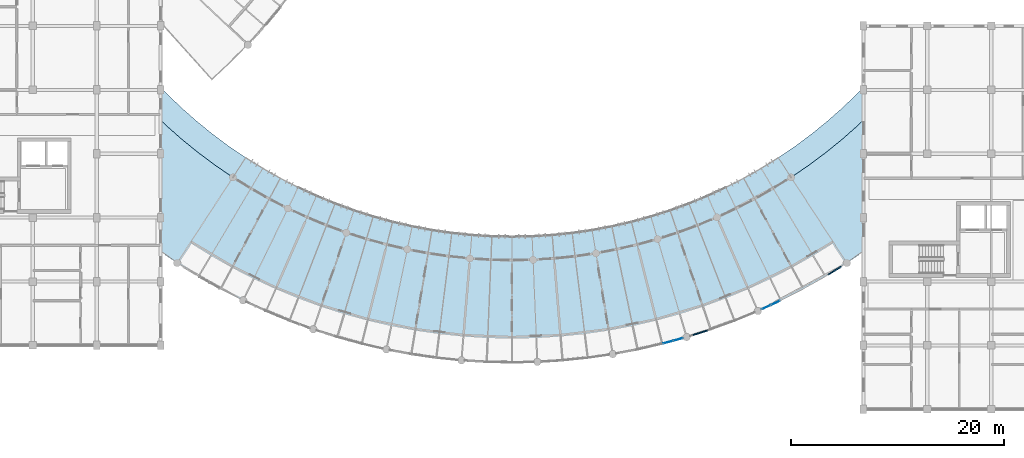
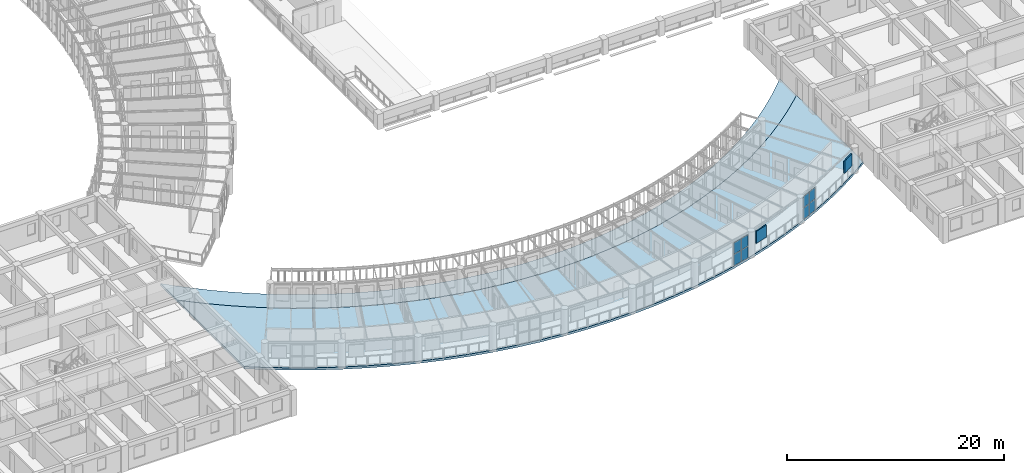
# One storey, part 77 of 137: 10 plates, 2 slabs, 2 elements without a shape of their own.
"""IFC4 building model written with IfcOpenShell, lengths in metres."""

from ifc_helpers import new_model, si_unit, direction, frame, origin, origin_2d, place, context, subcontext, project, spatial, polyline, rectangle, outline, extrude, material, layer, layer_set, type_object, element, aggregate, save


model = new_model("IFC4")

# Units and contexts
model_context = context("Model", 3, precision=1e-05, world=origin(), true_north=direction((0.0, 1.0)))
body_context = subcontext(model_context, "Body", "Model", "MODEL_VIEW")
ifc_project = project(units=[si_unit("LENGTHUNIT", "METRE"), si_unit("AREAUNIT", "SQUARE_METRE"), si_unit("VOLUMEUNIT", "CUBIC_METRE"), si_unit("PLANEANGLEUNIT", "RADIAN"), si_unit("MASSUNIT", "GRAM", prefix="KILO"), si_unit("POWERUNIT", "WATT"), si_unit("THERMODYNAMICTEMPERATUREUNIT", "KELVIN")], contexts=[model_context])

# Site, building, storey
site_placement = place(None, origin())
site = spatial("IfcSite", under=ifc_project, at=site_placement, CompositionType="ELEMENT")
building_placement = place(site_placement, origin())
building = spatial("IfcBuilding", under=site, at=building_placement, Name="Ruvembo Vaulted Housing Court", CompositionType="ELEMENT")
storey_placement = place(building_placement, frame((0.0, 0.0, 4.5)))
storey = spatial("IfcBuildingStorey", under=building, at=storey_placement, Name="L01", CompositionType="ELEMENT", Elevation=4.5)

# Curtain wall, plates
ifc_material_1 = material(Name="Anodised Aluminium and Solar-Control Glass", Category="aluminium")
ifc_layer_1 = layer(ifc_material_1, 0.139892578125, Name="Anodised Aluminium and Solar-Control Glass")
ifc_layer_set_1 = layer_set([ifc_layer_1], Name="Anodised Aluminium and Solar-Control Glass")
curtain_wall_type = type_object("IfcCurtainWallType", Name="CW-SCOOP-PAN", PredefinedType="NOTDEFINED", material=ifc_layer_set_1)
curtain_wall_1_placement = place(storey_placement, origin())
curtain_wall_1 = element("IfcCurtainWall", 1, at=curtain_wall_1_placement, inside=storey, type_object=curtain_wall_type, Name="L01 Curtain Wall CW-L01-0033", PredefinedType="NOTDEFINED")
ifc_material_2 = material(Name="Solar-Control Laminated Insulating Glass", Category="glass")
ifc_layer_2 = layer(ifc_material_2, 0.035888671875, Name="Solar-Control Laminated Insulating Glass")
ifc_layer_set_2 = layer_set([ifc_layer_2], Name="Solar-Control Laminated Insulating Glass")
plate_type_1 = type_object("IfcPlateType", Name="CW-PANEL-ACOUST", PredefinedType="CURTAIN_PANEL", material=ifc_layer_set_2)
plate_1_placement = place(storey_placement, frame((83.651123046875, 6.303466796875, 0.06005859375), z_axis=(0.0, 0.0, 1.0), x_axis=(0.964255188293, 0.264975341966, 0.0)))
plate_1 = element("IfcPlate", 2, at=plate_1_placement, type_object=plate_type_1, Name="CW10 panel 1.1", PredefinedType="CURTAIN_PANEL", context=body_context, shape_type="SweptSolid", body=[
    extrude(rectangle(XDim=0.89794921875, YDim=0.035888671875, at=origin_2d()), origin(), (0.0, 0.0, 1.0), 1.259033203125),
])
plate_2_placement = place(storey_placement, frame((83.651123046875, 6.303466796875, 1.37890625), z_axis=(0.0, 0.0, 1.0), x_axis=(0.964255188293, 0.264975341966, 0.0)))
plate_2 = element("IfcPlate", 3, at=plate_2_placement, type_object=plate_type_1, Name="CW10 panel 1.2", PredefinedType="CURTAIN_PANEL", context=body_context, shape_type="SweptSolid", body=[
    extrude(rectangle(XDim=0.89794921875, YDim=0.035888671875, at=origin_2d()), origin(), (0.0, 0.0, 1.0), 1.259033203125),
])
plate_3_placement = place(storey_placement, frame((84.57470703125, 6.557373046875, 0.06005859375), z_axis=(0.0, 0.0, 1.0), x_axis=(0.964255188293, 0.264975341966, 0.0)))
plate_3 = element("IfcPlate", 4, at=plate_3_placement, type_object=plate_type_1, Name="CW10 panel 2.1", PredefinedType="CURTAIN_PANEL", context=body_context, shape_type="SweptSolid", body=[
    extrude(rectangle(XDim=0.89794921875, YDim=0.035888671875, at=origin_2d()), origin(), (0.0, 0.0, 1.0), 1.259033203125),
])
plate_4_placement = place(storey_placement, frame((84.57470703125, 6.557373046875, 1.37890625), z_axis=(0.0, 0.0, 1.0), x_axis=(0.964255188293, 0.264975341966, 0.0)))
plate_4 = element("IfcPlate", 5, at=plate_4_placement, type_object=plate_type_1, Name="CW10 panel 2.2", PredefinedType="CURTAIN_PANEL", context=body_context, shape_type="SweptSolid", body=[
    extrude(rectangle(XDim=0.89794921875, YDim=0.035888671875, at=origin_2d()), origin(), (0.0, 0.0, 1.0), 1.259033203125),
])
aggregate(curtain_wall_1, [plate_1, plate_2, plate_3, plate_4])

curtain_wall_2_placement = place(storey_placement, origin())
curtain_wall_2 = element("IfcCurtainWall", 6, at=curtain_wall_2_placement, inside=storey, type_object=curtain_wall_type, Name="L01 Curtain Wall CW-L01-0034", PredefinedType="NOTDEFINED")
ifc_layer_3 = layer(ifc_material_2, 0.031982421875, Name="Solar-Control Laminated Insulating Glass")
ifc_layer_set_3 = layer_set([ifc_layer_3], Name="Solar-Control Laminated Insulating Glass")
plate_type_2 = type_object("IfcPlateType", Name="CW-PANEL-SOLAR", PredefinedType="CURTAIN_PANEL", material=ifc_layer_set_3)
plate_5_placement = place(storey_placement, frame((92.87451171875, 9.59326171875, 0.06494140625), z_axis=(0.0, 0.0, 1.0), x_axis=(0.907645116365, 0.419738421805, 0.0)))
plate_5 = element("IfcPlate", 7, at=plate_5_placement, type_object=plate_type_2, Name="CW10 panel 1.1", PredefinedType="CURTAIN_PANEL", context=body_context, shape_type="SweptSolid", body=[
    extrude(rectangle(XDim=0.890380859375, YDim=0.031982421875, at=origin_2d()), origin(), (0.0, 0.0, 1.0), 1.25146484375),
])
plate_6_placement = place(storey_placement, frame((92.87451171875, 9.59326171875, 1.381591796875), z_axis=(0.0, 0.0, 1.0), x_axis=(0.907645116365, 0.419738421805, 0.0)))
plate_6 = element("IfcPlate", 8, at=plate_6_placement, type_object=plate_type_2, Name="CW10 panel 1.2", PredefinedType="CURTAIN_PANEL", context=body_context, shape_type="SweptSolid", body=[
    extrude(rectangle(XDim=0.890380859375, YDim=0.031982421875, at=origin_2d()), origin(), (0.0, 0.0, 1.0), 1.25146484375),
])
plate_7_placement = place(storey_placement, frame((93.74169921875, 9.994384765625, 0.06494140625), z_axis=(0.0, 0.0, 1.0), x_axis=(0.907645116365, 0.419738421805, 0.0)))
plate_7 = element("IfcPlate", 9, at=plate_7_placement, type_object=plate_type_2, Name="CW10 panel 2.1", PredefinedType="CURTAIN_PANEL", context=body_context, shape_type="SweptSolid", body=[
    extrude(rectangle(XDim=0.890380859375, YDim=0.031982421875, at=origin_2d()), origin(), (0.0, 0.0, 1.0), 1.25146484375),
])
plate_8_placement = place(storey_placement, frame((93.74169921875, 9.994384765625, 1.381591796875), z_axis=(0.0, 0.0, 1.0), x_axis=(0.907645116365, 0.419738421805, 0.0)))
plate_8 = element("IfcPlate", 10, at=plate_8_placement, type_object=plate_type_2, Name="CW10 panel 2.2", PredefinedType="CURTAIN_PANEL", context=body_context, shape_type="SweptSolid", body=[
    extrude(rectangle(XDim=0.890380859375, YDim=0.031982421875, at=origin_2d()), origin(), (0.0, 0.0, 1.0), 1.25146484375),
])
aggregate(curtain_wall_2, [plate_5, plate_6, plate_7, plate_8])

# Plates
ifc_material_3 = material(Name="Perforated Glazed Ceramic Cobogo Block", Category="ceramic")
ifc_layer_4 = layer(ifc_material_3, 0.1201171875, Name="Perforated Glazed Ceramic Cobogo Block")
ifc_layer_set_4 = layer_set([ifc_layer_4], Name="Perforated Glazed Ceramic Cobogo Block")
plate_type_3 = type_object("IfcPlateType", Name="PL-COBOGO-120", PredefinedType="USERDEFINED", material=ifc_layer_set_4)
for number, where, z_axis, x_axis, name in (
    (11, (86.677490234375, 7.1923828125, 1.1201171875), (0.0, 0.0, 1.0), (0.952523417345, 0.304465333674, 0.0), "Scoop SC2 L01 Ceramic Cobogo Screen #37"),
    (12, (99.31201171875, 13.03515625, 1.1201171875), (0.0, 0.0, 1.0), (0.848888670256, 0.528571684363, 0.0), "Scoop SC2 L01 Ceramic Cobogo Screen #38"),
):
    element("IfcPlate", number, at=place(storey_placement, frame(where, z_axis=z_axis, x_axis=x_axis)), inside=storey, type_object=plate_type_3, Name=name, ObjectType="COBOGO_PANEL", PredefinedType="USERDEFINED", context=body_context, shape_type="SweptSolid", body=[
        extrude(rectangle(XDim=1.39990234375, YDim=0.1201171875, at=origin_2d()), origin(), (0.0, 0.0, 1.0), 1.360107421875),
    ])

# Slabs
ifc_material_4 = material(Name="Concrete C35/45", Category="concrete")
ifc_layer_5 = layer(ifc_material_4, 0.251953125, Name="Concrete C35/45")
ifc_layer_set_5 = layer_set([ifc_layer_5], Name="Concrete C35/45")
slab_type = type_object("IfcSlabType", Name="SL-SCOOP-252", PredefinedType="FLOOR", material=ifc_layer_set_5)
slab_1_placement = place(storey_placement, frame((0.0, 0.0, -0.251953125)))
element("IfcSlab", 13, at=slab_1_placement, inside=storey, type_object=slab_type, Name="Scoop SC2 L01 Floor Slab", PredefinedType="FLOOR", context=body_context, shape_type="SweptSolid", body=[
    extrude(outline(polyline([(36.0, 27.156494140625), (36.0, 14.80029296875), (37.55224609375, 13.742431640625), (39.569091796875, 12.486572265625), (41.63623046875, 11.31494140625), (43.749755859375, 10.2294921875), (45.906494140625, 9.232177734375), (48.102294921875, 8.32470703125), (50.333740234375, 7.50830078125), (52.596923828125, 6.784912109375), (54.887939453125, 6.155517578125), (57.203125, 5.62109375), (59.538330078125, 5.182373046875), (61.8896484375, 4.840576171875), (64.2529296875, 4.595947265625), (66.62451171875, 4.448974609375), (69.0, 4.39990234375), (71.37548828125, 4.448974609375), (73.7470703125, 4.595947265625), (76.1103515625, 4.840576171875), (78.461669921875, 5.182373046875), (80.796875, 5.62109375), (83.112060546875, 6.155517578125), (85.403076171875, 6.784912109375), (87.666259765625, 7.50830078125), (89.897705078125, 8.32470703125), (92.093505859375, 9.232177734375), (94.250244140625, 10.2294921875), (96.36376953125, 11.31494140625), (98.430908203125, 12.486572265625), (100.44775390625, 13.742431640625), (102.0, 14.80029296875), (102.0, 27.156494140625), (101.456298828125, 26.636474609375), (99.97021484375, 25.327880859375), (98.431640625, 24.081787109375), (96.8427734375, 22.900390625), (95.20654296875, 21.785400390625), (93.525634765625, 20.73876953125), (91.80322265625, 19.762451171875), (90.041748046875, 18.85791015625), (88.24462890625, 18.02685546875), (86.414794921875, 17.2705078125), (84.55517578125, 16.59033203125), (82.669189453125, 15.987548828125), (80.760009765625, 15.462890625), (78.830810546875, 15.017578125), (76.884765625, 14.652099609375), (74.92529296875, 14.3671875), (72.955810546875, 14.163330078125), (70.9794921875, 14.040771484375), (69.0, 14.0), (67.0205078125, 14.040771484375), (65.044189453125, 14.163330078125), (63.07470703125, 14.3671875), (61.115234375, 14.652099609375), (59.169189453125, 15.017578125), (57.239990234375, 15.462890625), (55.330810546875, 15.987548828125), (53.44482421875, 16.59033203125), (51.585205078125, 17.2705078125), (49.75537109375, 18.02685546875), (47.958251953125, 18.85791015625), (46.19677734375, 19.762451171875), (44.474365234375, 20.73876953125), (42.79345703125, 21.785400390625), (41.1572265625, 22.900390625), (39.568359375, 24.081787109375), (38.02978515625, 25.327880859375), (36.543701171875, 26.636474609375), (36.0, 27.156494140625)])), origin(), (0.0, 0.0, 1.0), 0.251953125),
])
slab_2_placement = place(storey_placement, frame((0.0, 0.0, -0.251953125)))
element("IfcSlab", 14, at=slab_2_placement, inside=storey, type_object=slab_type, Name="Scoop SC2 L01 Continuous Curved Balcony Slab", PredefinedType="FLOOR", context=body_context, shape_type="SweptSolid", body=[
    extrude(outline(polyline([(36.0, 30.2548828125), (36.0, 27.156494140625), (36.543701171875, 26.636474609375), (38.02978515625, 25.327880859375), (39.568359375, 24.081787109375), (41.1572265625, 22.900390625), (42.79345703125, 21.785400390625), (44.474365234375, 20.73876953125), (46.19677734375, 19.762451171875), (47.958251953125, 18.85791015625), (49.75537109375, 18.02685546875), (51.585205078125, 17.2705078125), (53.44482421875, 16.59033203125), (55.330810546875, 15.987548828125), (57.239990234375, 15.462890625), (59.169189453125, 15.017578125), (61.115234375, 14.652099609375), (63.07470703125, 14.3671875), (65.044189453125, 14.163330078125), (67.0205078125, 14.040771484375), (69.0, 14.0), (70.9794921875, 14.040771484375), (72.955810546875, 14.163330078125), (74.92529296875, 14.3671875), (76.884765625, 14.652099609375), (78.830810546875, 15.017578125), (80.760009765625, 15.462890625), (82.669189453125, 15.987548828125), (84.55517578125, 16.59033203125), (86.414794921875, 17.2705078125), (88.24462890625, 18.02685546875), (90.041748046875, 18.85791015625), (91.80322265625, 19.762451171875), (93.525634765625, 20.73876953125), (95.20654296875, 21.785400390625), (96.8427734375, 22.900390625), (98.431640625, 24.081787109375), (99.97021484375, 25.327880859375), (101.456298828125, 26.636474609375), (102.0, 27.156494140625), (102.0, 30.2548828125), (101.333984375, 29.563232421875), (99.96875, 28.25732421875), (98.55078125, 27.0087890625), (97.08251953125, 25.81982421875), (95.566650390625, 24.6923828125), (94.00537109375, 23.62841796875), (92.401611328125, 22.6298828125), (90.758056640625, 21.6982421875), (89.077392578125, 20.835205078125), (87.362548828125, 20.042236328125), (85.61669921875, 19.320556640625), (83.84228515625, 18.671630859375), (82.042724609375, 18.096435546875), (80.220947265625, 17.595703125), (78.380126953125, 17.1708984375), (76.523193359375, 16.822021484375), (74.65380859375, 16.55029296875), (72.7744140625, 16.355712890625), (70.888916015625, 16.239013671875), (69.0, 16.199951171875), (67.111083984375, 16.239013671875), (65.2255859375, 16.355712890625), (63.34619140625, 16.55029296875), (61.476806640625, 16.822021484375), (59.619873046875, 17.1708984375), (57.779052734375, 17.595703125), (55.957275390625, 18.096435546875), (54.15771484375, 18.671630859375), (52.38330078125, 19.320556640625), (50.637451171875, 20.042236328125), (48.922607421875, 20.835205078125), (47.241943359375, 21.6982421875), (45.598388671875, 22.6298828125), (43.99462890625, 23.62841796875), (42.433349609375, 24.6923828125), (40.91748046875, 25.81982421875), (39.44921875, 27.0087890625), (38.03125, 28.25732421875), (36.666015625, 29.563232421875), (36.0, 30.2548828125)])), origin(), (0.0, 0.0, 1.0), 0.251953125),
])

save(model, "model.ifc")
